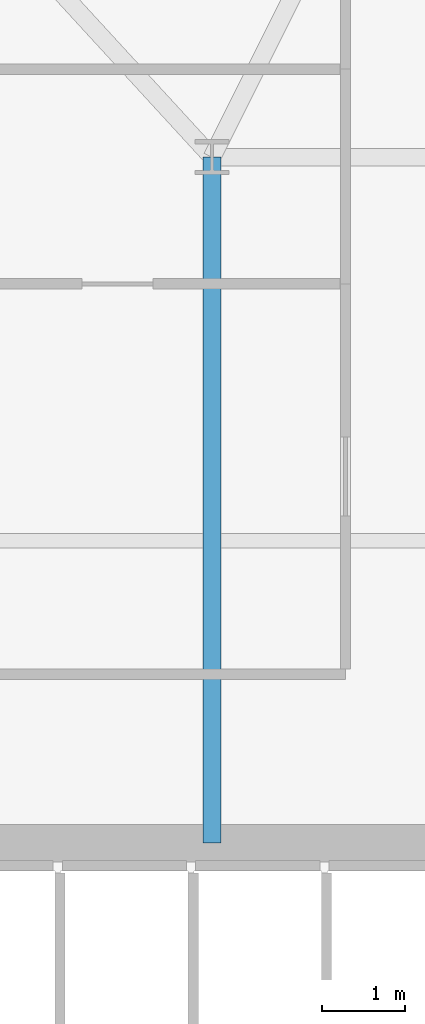
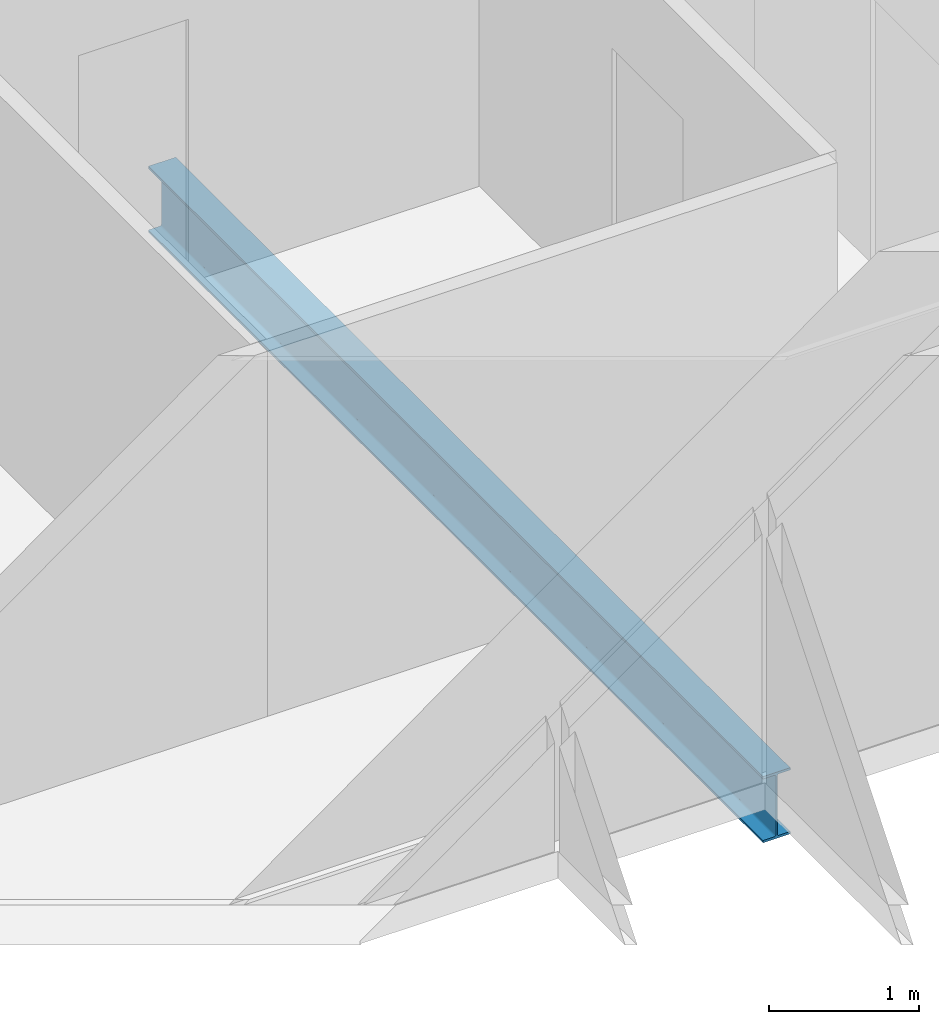
# One storey, part 6 of 33: 1 beam.
"""IFC4 building model written with IfcOpenShell, lengths in metres."""

from ifc_helpers import new_model, si_unit, direction, frame, origin, origin_2d, place, context, subcontext, project, spatial, i_section, extrude, material, material_profile, profile_set, type_object, element, save


model = new_model("IFC4")

# Units and contexts
model_context = context("Model", 3, precision=1e-05, world=origin(), true_north=direction((0.0, 1.0)))
body_context = subcontext(model_context, "Body", "Model", "MODEL_VIEW")
ifc_project = project(units=[si_unit("LENGTHUNIT", "METRE"), si_unit("AREAUNIT", "SQUARE_METRE"), si_unit("VOLUMEUNIT", "CUBIC_METRE"), si_unit("PLANEANGLEUNIT", "RADIAN"), si_unit("MASSUNIT", "GRAM", prefix="KILO")], contexts=[model_context])

# Site, building, storey
site_placement = place(None, origin())
site = spatial("IfcSite", under=ifc_project, at=site_placement, CompositionType="ELEMENT")
building_placement = place(site_placement, origin())
building = spatial("IfcBuilding", under=site, at=building_placement, Name="Ndaravel Arena Tower", CompositionType="ELEMENT")
storey_placement = place(building_placement, frame((0.0, 0.0, 153.60009765625)))
storey = spatial("IfcBuildingStorey", under=building, at=storey_placement, Name="L36", CompositionType="ELEMENT", Elevation=153.60009765625)

# Beam
ifc_material = material(Name="Steel S355", Category="steel")
ifc_material_profile = material_profile(ifc_material, i_section(OverallWidth=0.210693359375, OverallDepth=0.53955078125, WebThickness=0.01171875, FlangeThickness=0.018798828125, FilletRadius=0.0126953125, at=origin_2d()), Name="UB 533x210x109")
ifc_profile_set = profile_set([ifc_material_profile], Name="Steel S355")
beam_type = type_object("IfcBeamType", Name="BM-GIRD-UB533", PredefinedType="BEAM", material=ifc_profile_set)
beam_placement = place(storey_placement, frame((34.199951171875, 14.97998046875, -0.48974609375), z_axis=(0.0, 1.0, 0.0), x_axis=(-1.0, 0.0, 0.0)))
element("IfcBeam", 1, at=beam_placement, inside=storey, type_object=beam_type, Name="L36 Spine Link Girder SLG-01", PredefinedType="BEAM", context=body_context, shape_type="SweptSolid", body=[
    extrude(i_section(OverallWidth=0.210693359375, OverallDepth=0.53955078125, WebThickness=0.01171875, FlangeThickness=0.018798828125, FilletRadius=0.0126953125, at=origin_2d()), origin(), (0.0, 0.0, 1.0), 8.219970703125),
])

save(model, "model.ifc")
